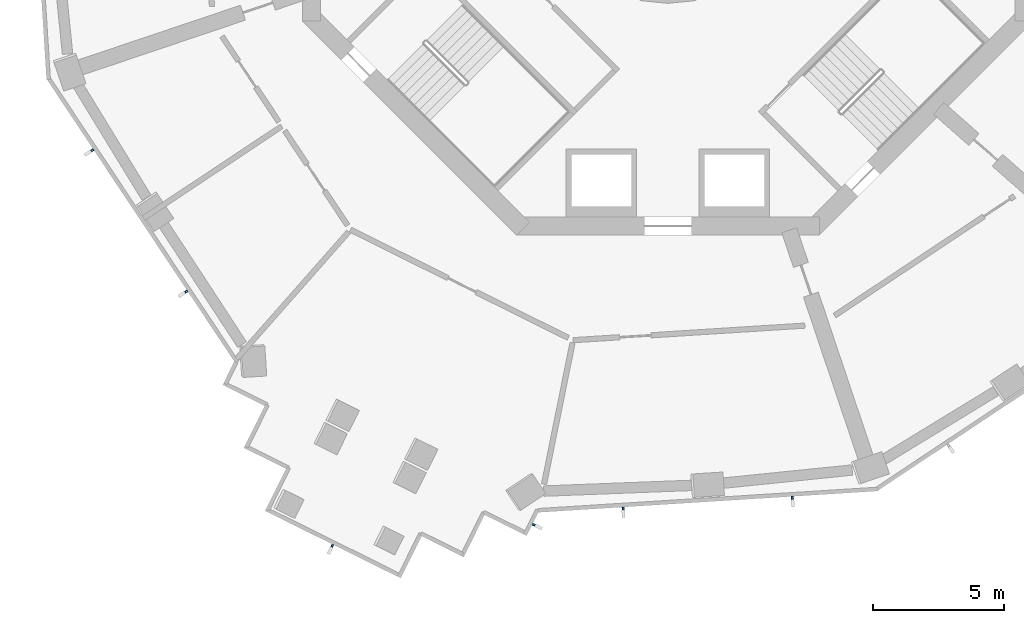
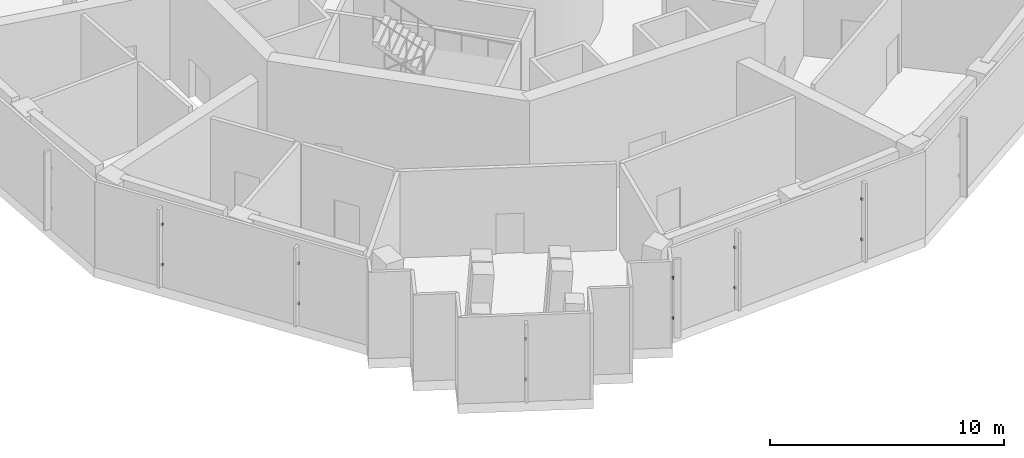
# One storey, part 6 of 16: 12 discrete accessories.
"""IFC4 building model written with IfcOpenShell, lengths in metres."""

from ifc_helpers import new_model, si_unit, direction, frame, origin, origin_2d, place, context, subcontext, project, spatial, rectangle, extrude, element, save


model = new_model("IFC4")

# Units and contexts
model_context = context("Model", 3, precision=1e-05, world=origin(), true_north=direction((0.0, 1.0)))
body_context = subcontext(model_context, "Body", "Model", "MODEL_VIEW")
ifc_project = project(units=[si_unit("LENGTHUNIT", "METRE"), si_unit("AREAUNIT", "SQUARE_METRE"), si_unit("VOLUMEUNIT", "CUBIC_METRE"), si_unit("PLANEANGLEUNIT", "RADIAN"), si_unit("MASSUNIT", "GRAM", prefix="KILO")], contexts=[model_context])

# Site, building, storey
site_placement = place(None, origin())
site = spatial("IfcSite", under=ifc_project, at=site_placement, CompositionType="ELEMENT")
building_placement = place(site_placement, origin())
building = spatial("IfcBuilding", under=site, at=building_placement, Name="Verdalira Terraces Hotel", CompositionType="ELEMENT")
storey_placement = place(building_placement, frame((0.0, 0.0, 169.0)))
storey = spatial("IfcBuildingStorey", under=building, at=storey_placement, Name="L41", CompositionType="ELEMENT", Elevation=169.0)

# Discrete accessories
for number, where, z_axis, x_axis, name in (
    (1, (-22.04541, -10.745117, 1.139893), (0.0, 0.0, 1.0), (0.553391549, -0.832921241, 0.0), "Fin bracket"),
    (2, (-22.04541, -10.745117, 3.23999), (0.0, 0.0, 1.0), (0.553391549, -0.832921241, 0.0), "Fin bracket"),
    (3, (-18.448486, -16.158936, 1.139893), (0.0, 0.0, 1.0), (0.553391549, -0.832921241, 0.0), "Fin bracket"),
    (4, (-18.448486, -16.158936, 3.23999), (0.0, 0.0, 1.0), (0.553391549, -0.832921241, 0.0), "Fin bracket"),
    (5, (-12.85376, -25.893555, 1.139893), (0.0, 0.0, 1.0), (0.89571176, -0.444635179, 0.0), "Fin bracket"),
    (6, (-12.85376, -25.893555, 3.23999), (0.0, 0.0, 1.0), (0.89571176, -0.444635179, 0.0), "Fin bracket"),
    (7, (-5.141602, -25.088623, 1.139893), (0.0, 0.0, 1.0), (0.444635179, 0.89571176, 0.0), "Fin bracket"),
    (8, (-5.141602, -25.088623, 3.23999), (0.0, 0.0, 1.0), (0.444635179, 0.89571176, 0.0), "Fin bracket"),
    (9, (-1.717285, -24.464355, 1.139893), (0.0, 0.0, 1.0), (0.998026728, 0.06279052, 0.0), "Fin bracket"),
    (10, (-1.717285, -24.464355, 3.23999), (0.0, 0.0, 1.0), (0.998026728, 0.06279052, 0.0), "Fin bracket"),
    (11, (4.77002, -24.056396, 1.139893), (0.0, 0.0, 1.0), (0.998026728, 0.06279052, 0.0), "Fin bracket"),
    (12, (4.77002, -24.056396, 3.23999), (0.0, 0.0, 1.0), (0.998026728, 0.06279052, 0.0), "Fin bracket"),
):
    element("IfcDiscreteAccessory", number, at=place(storey_placement, frame(where, z_axis=z_axis, x_axis=x_axis)), inside=storey, Name=name, PredefinedType="BRACKET", context=body_context, shape_type="SweptSolid", body=[
        extrude(rectangle(XDim=0.080078, YDim=0.100098, at=origin_2d()), origin(), (0.0, 0.0, 1.0), 0.120117),
    ])

save(model, "model.ifc")
